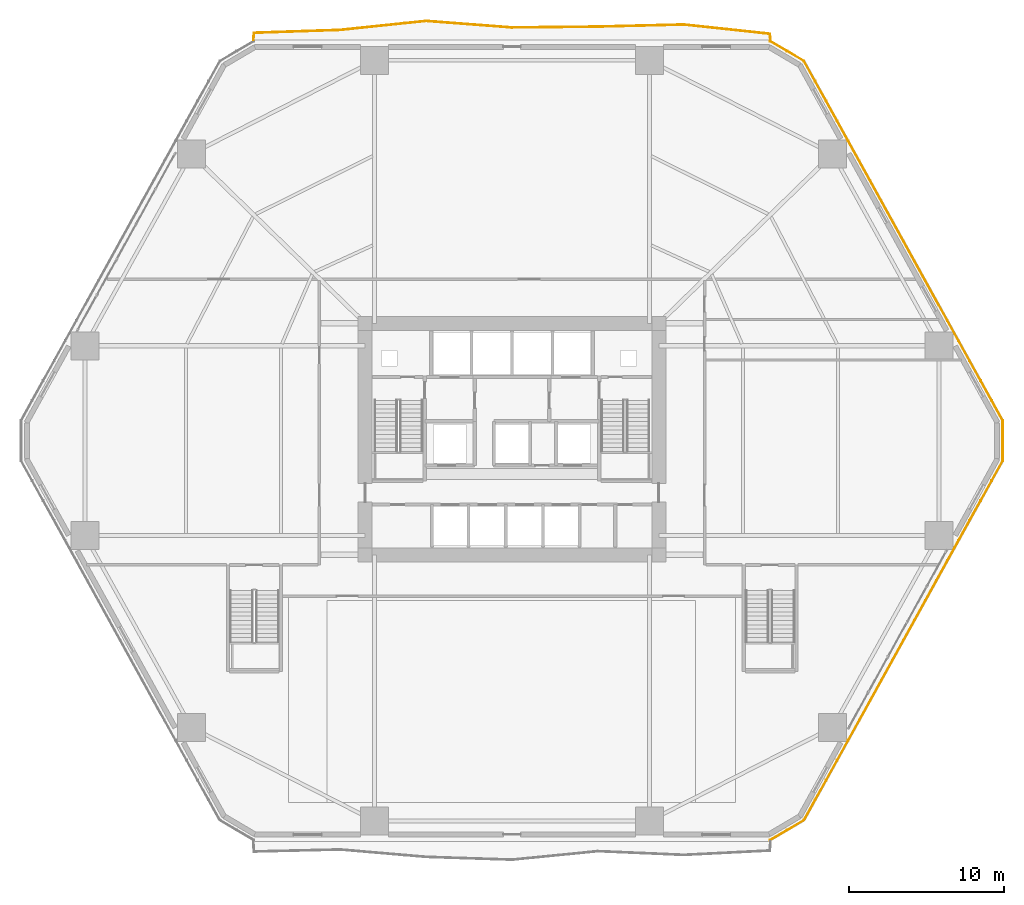
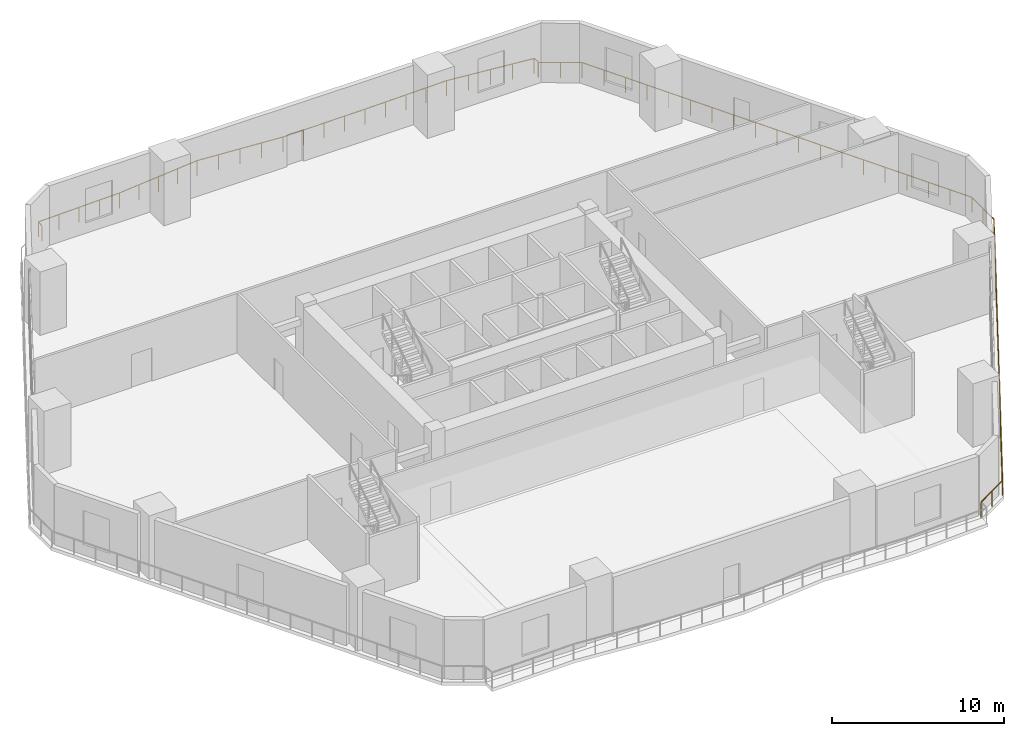
# One storey, part 18 of 18: 2 railings.
"""IFC4 building model written with IfcOpenShell, lengths in metres."""

from ifc_helpers import new_model, si_unit, direction, frame, origin, origin_2d, place, context, subcontext, project, spatial, rectangle, extrude, material, type_object, element, save


model = new_model("IFC4")

# Units and contexts
model_context = context("Model", 3, precision=1e-05, world=origin(), true_north=direction((0.0, 1.0)))
body_context = subcontext(model_context, "Body", "Model", "MODEL_VIEW")
ifc_project = project(units=[si_unit("LENGTHUNIT", "METRE"), si_unit("AREAUNIT", "SQUARE_METRE"), si_unit("VOLUMEUNIT", "CUBIC_METRE"), si_unit("PLANEANGLEUNIT", "RADIAN"), si_unit("MASSUNIT", "GRAM", prefix="KILO")], contexts=[model_context])

# Site, building, storey
site_placement = place(None, origin())
site = spatial("IfcSite", under=ifc_project, at=site_placement, CompositionType="ELEMENT")
building_placement = place(site_placement, origin())
building = spatial("IfcBuilding", under=site, at=building_placement, Name="Cinnabar Lancet Tower", CompositionType="ELEMENT")
storey_placement = place(building_placement, frame((0.0, 0.0, 15.0)))
storey = spatial("IfcBuildingStorey", under=building, at=storey_placement, Name="L03", CompositionType="ELEMENT", Elevation=15.0)

# Railings
ifc_material = material(Name="Laminated safety glass and bronze stainless steel balustrade", Category="steel")
railing_type = type_object("IfcRailingType", Name="ENV-RLG-BAL-1100", PredefinedType="BALUSTRADE", material=ifc_material)
railing_1_placement = place(storey_placement, frame((49.02197265625, 0.080078125, 0.0)))
element("IfcRailing", 1, at=railing_1_placement, inside=storey, type_object=railing_type, Name="L03 East Perimeter Overhang Edge Balustrade", PredefinedType="BALUSTRADE", context=body_context, shape_type="SweptSolid", body=[
    extrude(rectangle(XDim=0.048095703125, YDim=0.048095703125, at=origin_2d()), frame((0.0, 0.0, 1.076171875), z_axis=(0.86125159245, 0.508178801705, 0.0), x_axis=(-0.508178801705, 0.86125159245, 0.0)), (0.0, 0.0, 1.0), 2.54052734375),
    extrude(rectangle(XDim=0.048095703125, YDim=0.048095703125, at=origin_2d()), frame((2.18798828125, 1.291015625, 1.076171875), z_axis=(0.483655391037, 0.875258511938, 0.0), x_axis=(-0.875258511938, 0.483655391037, 0.0)), (0.0, 0.0, 1.0), 26.434326171875),
    extrude(rectangle(XDim=0.048095703125, YDim=0.048095703125, at=origin_2d()), frame((14.97314453125, 24.427978515625, 1.076171875), z_axis=(0.0, 1.0, 0.0), x_axis=(-1.0, 0.0, 0.0)), (0.0, 0.0, 1.0), 2.583984375),
    extrude(rectangle(XDim=0.048095703125, YDim=0.048095703125, at=origin_2d()), frame((14.97314453125, 27.011962890625, 1.076171875), z_axis=(-0.483655391037, 0.875258511938, 0.0), x_axis=(-0.875258511938, -0.483655391037, 0.0)), (0.0, 0.0, 1.0), 26.434326171875),
    extrude(rectangle(XDim=0.048095703125, YDim=0.048095703125, at=origin_2d()), frame((2.18798828125, 50.14892578125, 1.076171875), z_axis=(-0.86125159245, 0.508178801705, 0.0), x_axis=(-0.508178801705, -0.86125159245, 0.0)), (0.0, 0.0, 1.0), 2.54052734375),
    extrude(rectangle(XDim=0.0419921875, YDim=0.0419921875, at=origin_2d()), origin(), (0.0, 0.0, 1.0), 1.052001953125),
    extrude(rectangle(XDim=0.0419921875, YDim=0.0419921875, at=origin_2d()), frame((1.093994140625, 0.6455078125, 0.0)), (0.0, 0.0, 1.0), 1.052001953125),
    extrude(rectangle(XDim=0.0419921875, YDim=0.0419921875, at=origin_2d()), frame((2.18798828125, 1.291015625, 0.0)), (0.0, 0.0, 1.0), 1.052001953125),
    extrude(rectangle(XDim=0.0419921875, YDim=0.0419921875, at=origin_2d()), frame((2.898193359375, 2.576416015625, 0.0)), (0.0, 0.0, 1.0), 1.052001953125),
    extrude(rectangle(XDim=0.0419921875, YDim=0.0419921875, at=origin_2d()), frame((3.608642578125, 3.86181640625, 0.0)), (0.0, 0.0, 1.0), 1.052001953125),
    extrude(rectangle(XDim=0.0419921875, YDim=0.0419921875, at=origin_2d()), frame((4.31884765625, 5.147216796875, 0.0)), (0.0, 0.0, 1.0), 1.052001953125),
    extrude(rectangle(XDim=0.0419921875, YDim=0.0419921875, at=origin_2d()), frame((5.029052734375, 6.4326171875, 0.0)), (0.0, 0.0, 1.0), 1.052001953125),
    extrude(rectangle(XDim=0.0419921875, YDim=0.0419921875, at=origin_2d()), frame((5.739501953125, 7.718017578125, 0.0)), (0.0, 0.0, 1.0), 1.052001953125),
    extrude(rectangle(XDim=0.0419921875, YDim=0.0419921875, at=origin_2d()), frame((6.44970703125, 9.00341796875, 0.0)), (0.0, 0.0, 1.0), 1.052001953125),
    extrude(rectangle(XDim=0.0419921875, YDim=0.0419921875, at=origin_2d()), frame((7.159912109375, 10.288818359375, 0.0)), (0.0, 0.0, 1.0), 1.052001953125),
    extrude(rectangle(XDim=0.0419921875, YDim=0.0419921875, at=origin_2d()), frame((7.870361328125, 11.57421875, 0.0)), (0.0, 0.0, 1.0), 1.052001953125),
    extrude(rectangle(XDim=0.0419921875, YDim=0.0419921875, at=origin_2d()), frame((8.58056640625, 12.859375, 0.0)), (0.0, 0.0, 1.0), 1.052001953125),
    extrude(rectangle(XDim=0.0419921875, YDim=0.0419921875, at=origin_2d()), frame((9.290771484375, 14.144775390625, 0.0)), (0.0, 0.0, 1.0), 1.052001953125),
    extrude(rectangle(XDim=0.0419921875, YDim=0.0419921875, at=origin_2d()), frame((10.001220703125, 15.43017578125, 0.0)), (0.0, 0.0, 1.0), 1.052001953125),
    extrude(rectangle(XDim=0.0419921875, YDim=0.0419921875, at=origin_2d()), frame((10.71142578125, 16.715576171875, 0.0)), (0.0, 0.0, 1.0), 1.052001953125),
    extrude(rectangle(XDim=0.0419921875, YDim=0.0419921875, at=origin_2d()), frame((11.421630859375, 18.0009765625, 0.0)), (0.0, 0.0, 1.0), 1.052001953125),
    extrude(rectangle(XDim=0.0419921875, YDim=0.0419921875, at=origin_2d()), frame((12.132080078125, 19.286376953125, 0.0)), (0.0, 0.0, 1.0), 1.052001953125),
    extrude(rectangle(XDim=0.0419921875, YDim=0.0419921875, at=origin_2d()), frame((12.84228515625, 20.57177734375, 0.0)), (0.0, 0.0, 1.0), 1.052001953125),
    extrude(rectangle(XDim=0.0419921875, YDim=0.0419921875, at=origin_2d()), frame((13.552490234375, 21.857177734375, 0.0)), (0.0, 0.0, 1.0), 1.052001953125),
    extrude(rectangle(XDim=0.0419921875, YDim=0.0419921875, at=origin_2d()), frame((14.262939453125, 23.142578125, 0.0)), (0.0, 0.0, 1.0), 1.052001953125),
    extrude(rectangle(XDim=0.0419921875, YDim=0.0419921875, at=origin_2d()), frame((14.97314453125, 24.427978515625, 0.0)), (0.0, 0.0, 1.0), 1.052001953125),
    extrude(rectangle(XDim=0.0419921875, YDim=0.0419921875, at=origin_2d()), frame((14.97314453125, 25.719970703125, 0.0)), (0.0, 0.0, 1.0), 1.052001953125),
    extrude(rectangle(XDim=0.0419921875, YDim=0.0419921875, at=origin_2d()), frame((14.97314453125, 27.011962890625, 0.0)), (0.0, 0.0, 1.0), 1.052001953125),
    extrude(rectangle(XDim=0.0419921875, YDim=0.0419921875, at=origin_2d()), frame((14.262939453125, 28.29736328125, 0.0)), (0.0, 0.0, 1.0), 1.052001953125),
    extrude(rectangle(XDim=0.0419921875, YDim=0.0419921875, at=origin_2d()), frame((13.552490234375, 29.582763671875, 0.0)), (0.0, 0.0, 1.0), 1.052001953125),
    extrude(rectangle(XDim=0.0419921875, YDim=0.0419921875, at=origin_2d()), frame((12.84228515625, 30.8681640625, 0.0)), (0.0, 0.0, 1.0), 1.052001953125),
    extrude(rectangle(XDim=0.0419921875, YDim=0.0419921875, at=origin_2d()), frame((12.132080078125, 32.153564453125, 0.0)), (0.0, 0.0, 1.0), 1.052001953125),
    extrude(rectangle(XDim=0.0419921875, YDim=0.0419921875, at=origin_2d()), frame((11.421630859375, 33.43896484375, 0.0)), (0.0, 0.0, 1.0), 1.052001953125),
    extrude(rectangle(XDim=0.0419921875, YDim=0.0419921875, at=origin_2d()), frame((10.71142578125, 34.724365234375, 0.0)), (0.0, 0.0, 1.0), 1.052001953125),
    extrude(rectangle(XDim=0.0419921875, YDim=0.0419921875, at=origin_2d()), frame((10.001220703125, 36.009765625, 0.0)), (0.0, 0.0, 1.0), 1.052001953125),
    extrude(rectangle(XDim=0.0419921875, YDim=0.0419921875, at=origin_2d()), frame((9.290771484375, 37.295166015625, 0.0)), (0.0, 0.0, 1.0), 1.052001953125),
    extrude(rectangle(XDim=0.0419921875, YDim=0.0419921875, at=origin_2d()), frame((8.58056640625, 38.58056640625, 0.0)), (0.0, 0.0, 1.0), 1.052001953125),
    extrude(rectangle(XDim=0.0419921875, YDim=0.0419921875, at=origin_2d()), frame((7.870361328125, 39.86572265625, 0.0)), (0.0, 0.0, 1.0), 1.052001953125),
    extrude(rectangle(XDim=0.0419921875, YDim=0.0419921875, at=origin_2d()), frame((7.159912109375, 41.151123046875, 0.0)), (0.0, 0.0, 1.0), 1.052001953125),
    extrude(rectangle(XDim=0.0419921875, YDim=0.0419921875, at=origin_2d()), frame((6.44970703125, 42.4365234375, 0.0)), (0.0, 0.0, 1.0), 1.052001953125),
    extrude(rectangle(XDim=0.0419921875, YDim=0.0419921875, at=origin_2d()), frame((5.739501953125, 43.721923828125, 0.0)), (0.0, 0.0, 1.0), 1.052001953125),
    extrude(rectangle(XDim=0.0419921875, YDim=0.0419921875, at=origin_2d()), frame((5.029052734375, 45.00732421875, 0.0)), (0.0, 0.0, 1.0), 1.052001953125),
    extrude(rectangle(XDim=0.0419921875, YDim=0.0419921875, at=origin_2d()), frame((4.31884765625, 46.292724609375, 0.0)), (0.0, 0.0, 1.0), 1.052001953125),
    extrude(rectangle(XDim=0.0419921875, YDim=0.0419921875, at=origin_2d()), frame((3.608642578125, 47.578125, 0.0)), (0.0, 0.0, 1.0), 1.052001953125),
    extrude(rectangle(XDim=0.0419921875, YDim=0.0419921875, at=origin_2d()), frame((2.898193359375, 48.863525390625, 0.0)), (0.0, 0.0, 1.0), 1.052001953125),
    extrude(rectangle(XDim=0.0419921875, YDim=0.0419921875, at=origin_2d()), frame((2.18798828125, 50.14892578125, 0.0)), (0.0, 0.0, 1.0), 1.052001953125),
    extrude(rectangle(XDim=0.0419921875, YDim=0.0419921875, at=origin_2d()), frame((1.093994140625, 50.79443359375, 0.0)), (0.0, 0.0, 1.0), 1.052001953125),
    extrude(rectangle(XDim=0.0419921875, YDim=0.0419921875, at=origin_2d()), frame((0.0, 51.43994140625, 0.0)), (0.0, 0.0, 1.0), 1.052001953125),
])
railing_2_placement = place(storey_placement, frame((49.0439453125, 51.60009765625, 0.0)))
element("IfcRailing", 2, at=railing_2_placement, inside=storey, type_object=railing_type, Name="L03 Face 4 Wave Balcony Balustrade", PredefinedType="BALUSTRADE", context=body_context, shape_type="SweptSolid", body=[
    extrude(rectangle(XDim=0.048095703125, YDim=0.048095703125, at=origin_2d()), frame((0.0, 0.0, 1.076171875), z_axis=(-0.095076511794, 0.995469967857, 0.0), x_axis=(-0.995469967857, -0.095076511794, 0.0)), (0.0, 0.0, 1.0), 0.3876953125),
    extrude(rectangle(XDim=0.048095703125, YDim=0.048095703125, at=origin_2d()), frame((-0.036865234375, 0.385986328125, 1.076171875), z_axis=(-0.994259966637, 0.106991208718, 0.0), x_axis=(-0.106991208718, -0.994259966637, 0.0)), (0.0, 0.0, 1.0), 5.570068359375),
    extrude(rectangle(XDim=0.048095703125, YDim=0.048095703125, at=origin_2d()), frame((-5.574951171875, 0.98193359375, 1.076171875), z_axis=(-0.999706922564, -0.024208861563, 0.0), x_axis=(0.024208861563, -0.999706922564, 0.0)), (0.0, 0.0, 1.0), 5.53662109375),
    extrude(rectangle(XDim=0.048095703125, YDim=0.048095703125, at=origin_2d()), frame((-11.10986328125, 0.847900390625, 1.076171875), z_axis=(-0.999948975199, -0.010101831451, 0.0), x_axis=(0.010101831451, -0.999948975199, 0.0)), (0.0, 0.0, 1.0), 5.534423828125),
    extrude(rectangle(XDim=0.048095703125, YDim=0.048095703125, at=origin_2d()), frame((-16.64404296875, 0.7919921875, 1.076171875), z_axis=(-0.997093428496, 0.076188548028, 0.0), x_axis=(-0.076188548028, -0.997093428496, 0.0)), (0.0, 0.0, 1.0), 5.550048828125),
    extrude(rectangle(XDim=0.048095703125, YDim=0.048095703125, at=origin_2d()), frame((-22.177978515625, 1.21484375, 1.076171875), z_axis=(-0.994557491684, -0.104189230416, 0.0), x_axis=(0.104189230416, -0.994557491684, 0.0)), (0.0, 0.0, 1.0), 5.565185546875),
    extrude(rectangle(XDim=0.048095703125, YDim=0.048095703125, at=origin_2d()), frame((-27.712890625, 0.635009765625, 1.076171875), z_axis=(-0.999448032219, -0.033220940588, 0.0), x_axis=(0.033220940588, -0.999448032219, 0.0)), (0.0, 0.0, 1.0), 5.541259765625),
    extrude(rectangle(XDim=0.048095703125, YDim=0.048095703125, at=origin_2d()), frame((-33.2509765625, 0.450927734375, 1.076171875), z_axis=(-0.081482345726, -0.996674785141, 0.0), x_axis=(0.996674785141, -0.081482345726, 0.0)), (0.0, 0.0, 1.0), 0.452392578125),
    extrude(rectangle(XDim=0.0419921875, YDim=0.0419921875, at=origin_2d()), origin(), (0.0, 0.0, 1.0), 1.052001953125),
    extrude(rectangle(XDim=0.0419921875, YDim=0.0419921875, at=origin_2d()), frame((-0.036865234375, 0.385986328125, 0.0)), (0.0, 0.0, 1.0), 1.052001953125),
    extrude(rectangle(XDim=0.0419921875, YDim=0.0419921875, at=origin_2d()), frame((-1.42138671875, 0.534912109375, 0.0)), (0.0, 0.0, 1.0), 1.052001953125),
    extrude(rectangle(XDim=0.0419921875, YDim=0.0419921875, at=origin_2d()), frame((-2.805908203125, 0.68408203125, 0.0)), (0.0, 0.0, 1.0), 1.052001953125),
    extrude(rectangle(XDim=0.0419921875, YDim=0.0419921875, at=origin_2d()), frame((-4.1904296875, 0.8330078125, 0.0)), (0.0, 0.0, 1.0), 1.052001953125),
    extrude(rectangle(XDim=0.0419921875, YDim=0.0419921875, at=origin_2d()), frame((-5.574951171875, 0.98193359375, 0.0)), (0.0, 0.0, 1.0), 1.052001953125),
    extrude(rectangle(XDim=0.0419921875, YDim=0.0419921875, at=origin_2d()), frame((-6.958740234375, 0.948486328125, 0.0)), (0.0, 0.0, 1.0), 1.052001953125),
    extrude(rectangle(XDim=0.0419921875, YDim=0.0419921875, at=origin_2d()), frame((-8.34228515625, 0.9150390625, 0.0)), (0.0, 0.0, 1.0), 1.052001953125),
    extrude(rectangle(XDim=0.0419921875, YDim=0.0419921875, at=origin_2d()), frame((-9.72607421875, 0.88134765625, 0.0)), (0.0, 0.0, 1.0), 1.052001953125),
    extrude(rectangle(XDim=0.0419921875, YDim=0.0419921875, at=origin_2d()), frame((-11.10986328125, 0.847900390625, 0.0)), (0.0, 0.0, 1.0), 1.052001953125),
    extrude(rectangle(XDim=0.0419921875, YDim=0.0419921875, at=origin_2d()), frame((-12.493408203125, 0.833984375, 0.0)), (0.0, 0.0, 1.0), 1.052001953125),
    extrude(rectangle(XDim=0.0419921875, YDim=0.0419921875, at=origin_2d()), frame((-13.876953125, 0.81982421875, 0.0)), (0.0, 0.0, 1.0), 1.052001953125),
    extrude(rectangle(XDim=0.0419921875, YDim=0.0419921875, at=origin_2d()), frame((-15.260498046875, 0.805908203125, 0.0)), (0.0, 0.0, 1.0), 1.052001953125),
    extrude(rectangle(XDim=0.0419921875, YDim=0.0419921875, at=origin_2d()), frame((-16.64404296875, 0.7919921875, 0.0)), (0.0, 0.0, 1.0), 1.052001953125),
    extrude(rectangle(XDim=0.0419921875, YDim=0.0419921875, at=origin_2d()), frame((-18.027587890625, 0.897705078125, 0.0)), (0.0, 0.0, 1.0), 1.052001953125),
    extrude(rectangle(XDim=0.0419921875, YDim=0.0419921875, at=origin_2d()), frame((-19.4111328125, 1.00341796875, 0.0)), (0.0, 0.0, 1.0), 1.052001953125),
    extrude(rectangle(XDim=0.0419921875, YDim=0.0419921875, at=origin_2d()), frame((-20.79443359375, 1.109130859375, 0.0)), (0.0, 0.0, 1.0), 1.052001953125),
    extrude(rectangle(XDim=0.0419921875, YDim=0.0419921875, at=origin_2d()), frame((-22.177978515625, 1.21484375, 0.0)), (0.0, 0.0, 1.0), 1.052001953125),
    extrude(rectangle(XDim=0.0419921875, YDim=0.0419921875, at=origin_2d()), frame((-23.561767578125, 1.06982421875, 0.0)), (0.0, 0.0, 1.0), 1.052001953125),
    extrude(rectangle(XDim=0.0419921875, YDim=0.0419921875, at=origin_2d()), frame((-24.9453125, 0.9248046875, 0.0)), (0.0, 0.0, 1.0), 1.052001953125),
    extrude(rectangle(XDim=0.0419921875, YDim=0.0419921875, at=origin_2d()), frame((-26.3291015625, 0.780029296875, 0.0)), (0.0, 0.0, 1.0), 1.052001953125),
    extrude(rectangle(XDim=0.0419921875, YDim=0.0419921875, at=origin_2d()), frame((-27.712890625, 0.635009765625, 0.0)), (0.0, 0.0, 1.0), 1.052001953125),
    extrude(rectangle(XDim=0.0419921875, YDim=0.0419921875, at=origin_2d()), frame((-29.097412109375, 0.5888671875, 0.0)), (0.0, 0.0, 1.0), 1.052001953125),
    extrude(rectangle(XDim=0.0419921875, YDim=0.0419921875, at=origin_2d()), frame((-30.48193359375, 0.54296875, 0.0)), (0.0, 0.0, 1.0), 1.052001953125),
    extrude(rectangle(XDim=0.0419921875, YDim=0.0419921875, at=origin_2d()), frame((-31.866455078125, 0.4970703125, 0.0)), (0.0, 0.0, 1.0), 1.052001953125),
    extrude(rectangle(XDim=0.0419921875, YDim=0.0419921875, at=origin_2d()), frame((-33.2509765625, 0.450927734375, 0.0)), (0.0, 0.0, 1.0), 1.052001953125),
    extrude(rectangle(XDim=0.0419921875, YDim=0.0419921875, at=origin_2d()), frame((-33.287841796875, 0.0, 0.0)), (0.0, 0.0, 1.0), 1.052001953125),
])

save(model, "model.ifc")
